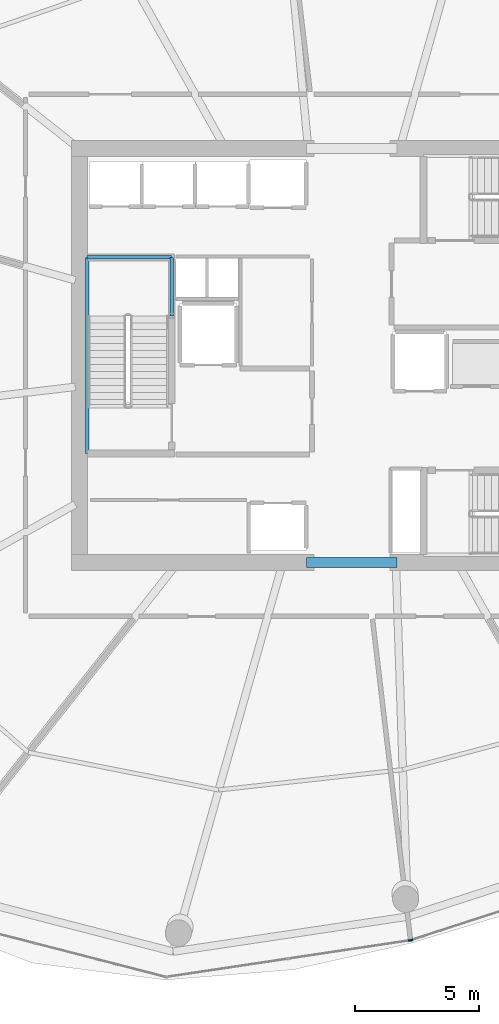
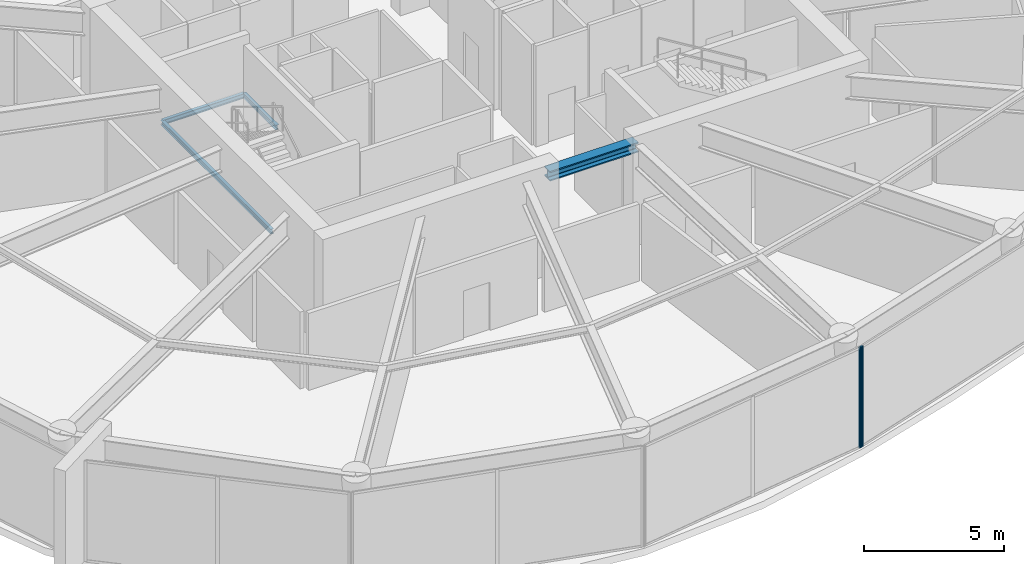
# One storey, part 8 of 22: 4 beams, 2 members, 2 elements without a shape of their own.
"""IFC4 building model written with IfcOpenShell, lengths in metres."""

from ifc_helpers import new_model, si_unit, direction, frame, origin, origin_2d, place, context, subcontext, project, spatial, rectangle, i_section, extrude, material, layer, layer_set, material_profile, profile_set, type_object, element, aggregate, save


model = new_model("IFC4")

# Units and contexts
model_context = context("Model", 3, precision=1e-05, world=origin(), true_north=direction((0.0, 1.0)))
body_context = subcontext(model_context, "Body", "Model", "MODEL_VIEW")
ifc_project = project(units=[si_unit("LENGTHUNIT", "METRE"), si_unit("AREAUNIT", "SQUARE_METRE"), si_unit("VOLUMEUNIT", "CUBIC_METRE"), si_unit("PLANEANGLEUNIT", "RADIAN"), si_unit("MASSUNIT", "GRAM", prefix="KILO")], contexts=[model_context])

# Site, building, storey
site_placement = place(None, origin())
site = spatial("IfcSite", under=ifc_project, at=site_placement, CompositionType="ELEMENT")
building_placement = place(site_placement, origin())
building = spatial("IfcBuilding", under=site, at=building_placement, Name="Kazma Halo Residences", CompositionType="ELEMENT")
storey_placement = place(building_placement, frame((0.0, 0.0, 231.89990234375)))
storey = spatial("IfcBuildingStorey", under=building, at=storey_placement, Name="L58", CompositionType="ELEMENT", Elevation=231.89990234375)

# Beams
ifc_material_1 = material(Name="Steel S355", Category="steel")
ifc_material_profile_1 = material_profile(ifc_material_1, i_section(OverallWidth=0.408935546875, OverallDepth=0.425048828125, WebThickness=0.03271484375, FlangeThickness=0.052490234375, FilletRadius=0.02001953125, at=origin_2d()), Name="W360x421")
ifc_profile_set_1 = profile_set([ifc_material_profile_1], Name="Steel S355")
beam_type_1 = type_object("IfcBeamType", Name="BM-CORE-W360H", PredefinedType="BEAM", material=ifc_profile_set_1)
beam_1_placement = place(storey_placement, frame((46.60009765625, 33.675048828125, 4.1875), z_axis=(1.0, 0.0, 0.0), x_axis=(0.0, 1.0, 0.0)))
element("IfcBeam", 1, at=beam_1_placement, inside=storey, type_object=beam_type_1, Name="L58 core coupling beam S", PredefinedType="BEAM", context=body_context, shape_type="SweptSolid", body=[
    extrude(i_section(OverallWidth=0.408935546875, OverallDepth=0.425048828125, WebThickness=0.03271484375, FlangeThickness=0.052490234375, FilletRadius=0.02001953125, at=origin_2d()), origin(), (0.0, 0.0, 1.0), 3.64990234375),
])
ifc_material_profile_2 = material_profile(ifc_material_1, i_section(OverallWidth=0.133056640625, OverallDepth=0.20703125, WebThickness=0.005859375, FlangeThickness=0.00830078125, FilletRadius=0.010009765625, at=origin_2d()), Name="W200x26.6")
ifc_profile_set_2 = profile_set([ifc_material_profile_2], Name="Steel S355")
beam_type_2 = type_object("IfcBeamType", Name="BM-TRIM-W200", PredefinedType="BEAM", material=ifc_profile_set_2)
beam_2_placement = place(storey_placement, frame((37.780029296875, 38.06005859375, 2.09521484375), z_axis=(0.0, 1.0, 0.0), x_axis=(-1.0, 0.0, 0.0)))
element("IfcBeam", 2, at=beam_2_placement, inside=storey, type_object=beam_type_2, Name="L58 ST-01 landing west wall ledger", PredefinedType="BEAM", context=body_context, shape_type="SweptSolid", body=[
    extrude(i_section(OverallWidth=0.133056640625, OverallDepth=0.20703125, WebThickness=0.005859375, FlangeThickness=0.00830078125, FilletRadius=0.010009765625, at=origin_2d()), origin(), (0.0, 0.0, 1.0), 7.8798828125),
])
beam_3_placement = place(storey_placement, frame((41.179931640625, 43.590087890625, 2.09521484375), z_axis=(0.0, 1.0, 0.0), x_axis=(-1.0, 0.0, 0.0)))
element("IfcBeam", 3, at=beam_3_placement, inside=storey, type_object=beam_type_2, Name="L58 ST-01 landing east wall ledger", PredefinedType="BEAM", context=body_context, shape_type="SweptSolid", body=[
    extrude(i_section(OverallWidth=0.133056640625, OverallDepth=0.20703125, WebThickness=0.005859375, FlangeThickness=0.00830078125, FilletRadius=0.010009765625, at=origin_2d()), origin(), (0.0, 0.0, 1.0), 2.349853515625),
])
beam_4_placement = place(storey_placement, frame((37.780029296875, 45.93994140625, 2.09521484375), z_axis=(1.0, 0.0, 0.0), x_axis=(0.0, 1.0, 0.0)))
element("IfcBeam", 4, at=beam_4_placement, inside=storey, type_object=beam_type_2, Name="L58 ST-01 landing end wall ledger", PredefinedType="BEAM", context=body_context, shape_type="SweptSolid", body=[
    extrude(i_section(OverallWidth=0.133056640625, OverallDepth=0.20703125, WebThickness=0.005859375, FlangeThickness=0.00830078125, FilletRadius=0.010009765625, at=origin_2d()), origin(), (0.0, 0.0, 1.0), 3.39990234375),
])

# Curtain wall, member
ifc_material_2 = material(Name="Aluminium AW-6063 T6 and Triple-Silver Low-E Glass", Category="aluminium")
ifc_layer = layer(ifc_material_2, 0.139892578125)
ifc_layer_set = layer_set([ifc_layer], Name="Aluminium AW-6063 T6 and Triple-Silver Low-E Glass")
curtain_wall_type = type_object("IfcCurtainWallType", Name="CW-SYS-5", PredefinedType="NOTDEFINED", material=ifc_layer_set)
curtain_wall_1_placement = place(storey_placement, origin())
curtain_wall_1 = element("IfcCurtainWall", 5, at=curtain_wall_1_placement, inside=storey, type_object=curtain_wall_type, Name="L58 unitised curtain wall B11", PredefinedType="NOTDEFINED")
ifc_material_3 = material(Name="Aluminium AW-6063 T6", Category="aluminium")
ifc_material_profile_3 = material_profile(ifc_material_3, rectangle(XDim=0.06005859375, YDim=0.139892578125, at=origin_2d()), Name="CWM-60x140")
ifc_profile_set_3 = profile_set([ifc_material_profile_3], Name="Aluminium AW-6063 T6")
member_type = type_object("IfcMemberType", Name="CW-SYS-5-MUL", PredefinedType="MULLION", material=ifc_profile_set_3)
member_1_placement = place(storey_placement, frame((50.7548828125, 18.4697265625, 0.0), z_axis=(0.0, 0.0, 1.0), x_axis=(-0.148733218613, 0.988877358261, 0.0)))
member_1 = element("IfcMember", 6, at=member_1_placement, type_object=member_type, Name="CWS-5 mullion 3", PredefinedType="MULLION", context=body_context, shape_type="SweptSolid", body=[
    extrude(rectangle(XDim=0.06005859375, YDim=0.139892578125, at=origin_2d()), origin(), (0.0, 0.0, 1.0), 4.400146484375),
])
aggregate(curtain_wall_1, [member_1])

curtain_wall_2_placement = place(storey_placement, origin())
curtain_wall_2 = element("IfcCurtainWall", 7, at=curtain_wall_2_placement, inside=storey, type_object=curtain_wall_type, Name="L58 unitised curtain wall B12", PredefinedType="NOTDEFINED")
member_2_placement = place(storey_placement, frame((50.81298828125, 18.4833984375, 0.0), z_axis=(0.0, 0.0, 1.0), x_axis=(-0.309020023006, 0.951055532228, 0.0)))
member_2 = element("IfcMember", 8, at=member_2_placement, type_object=member_type, Name="CWS-5 mullion 1", PredefinedType="MULLION", context=body_context, shape_type="SweptSolid", body=[
    extrude(rectangle(XDim=0.06005859375, YDim=0.139892578125, at=origin_2d()), origin(), (0.0, 0.0, 1.0), 4.400146484375),
])
aggregate(curtain_wall_2, [member_2])

save(model, "model.ifc")
